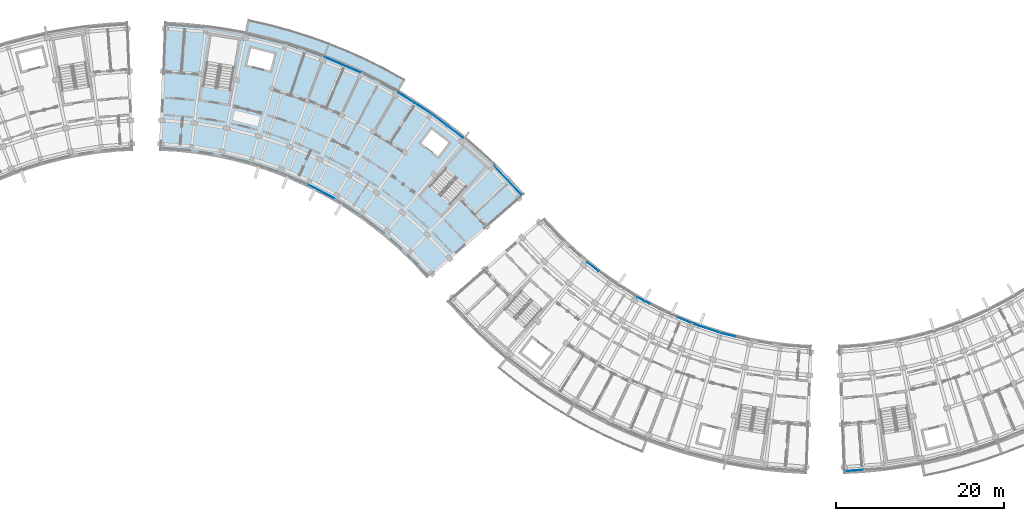
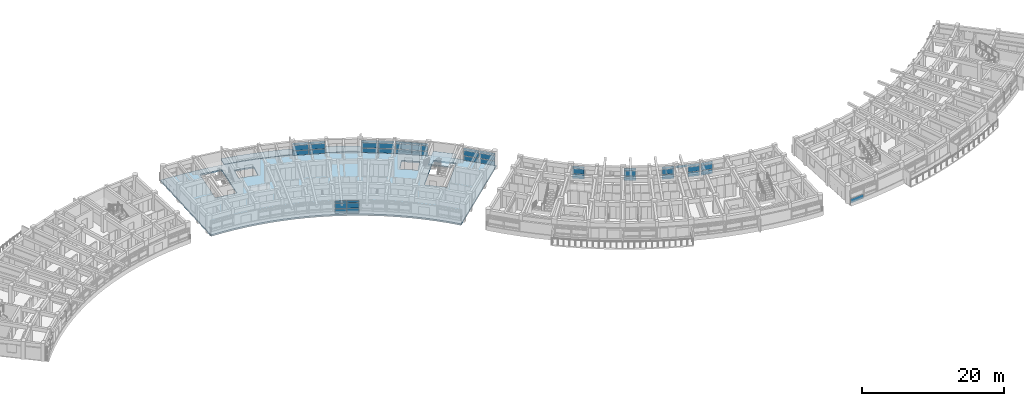
# One storey, part 25 of 55: 47 plates, 3 slabs, 12 elements without a shape of their own.
"""IFC4 building model written with IfcOpenShell, lengths in metres."""

from ifc_helpers import new_model, si_unit, direction, frame, origin, origin_2d, place, context, subcontext, project, spatial, polyline, rectangle, outline, extrude, material, layer, layer_set, type_object, element, aggregate, save


model = new_model("IFC4")

# Units and contexts
model_context = context("Model", 3, precision=1e-05, world=origin(), true_north=direction((0.0, 1.0)))
body_context = subcontext(model_context, "Body", "Model", "MODEL_VIEW")
ifc_project = project(units=[si_unit("LENGTHUNIT", "METRE"), si_unit("AREAUNIT", "SQUARE_METRE"), si_unit("VOLUMEUNIT", "CUBIC_METRE"), si_unit("PLANEANGLEUNIT", "RADIAN"), si_unit("MASSUNIT", "GRAM", prefix="KILO")], contexts=[model_context])

# Site, building, storey
site_placement = place(None, origin())
site = spatial("IfcSite", under=ifc_project, at=site_placement, CompositionType="ELEMENT")
building_placement = place(site_placement, origin())
building = spatial("IfcBuilding", under=site, at=building_placement, Name="Zimvara Arc Housing Community", CompositionType="ELEMENT")
storey_placement = place(building_placement, frame((0.0, 0.0, 14.300048828125)))
storey = spatial("IfcBuildingStorey", under=building, at=storey_placement, Name="L04", CompositionType="ELEMENT", Elevation=14.300048828125)

# Curtain wall, plates
ifc_material_1 = material(Name="Anodised Aluminium AW-6063", Category="aluminium")
curtain_wall_type_1 = type_object("IfcCurtainWallType", Name="CW-SYS-04", PredefinedType="USERDEFINED", material=ifc_material_1)
curtain_wall_1_placement = place(storey_placement, origin())
curtain_wall_1 = element("IfcCurtainWall", 1, at=curtain_wall_1_placement, inside=storey, type_object=curtain_wall_type_1, Name="cw:blkB:L04:in:b5", ObjectType="CURTAIN WALL", PredefinedType="USERDEFINED")
ifc_material_2 = material(Name="Pale-Gold Anodised Aluminium Spandrel Panel", Category="aluminium")
ifc_layer_1 = layer(ifc_material_2, 0.035888671875)
ifc_layer_set_1 = layer_set([ifc_layer_1], Name="Pale-Gold Anodised Aluminium Spandrel Panel")
plate_type_1 = type_object("IfcPlateType", Name="CWP-GLD-36", PredefinedType="CURTAIN_PANEL", material=ifc_layer_set_1)
plate_1_placement = place(storey_placement, frame((65.125244140625, 84.291259765625, 0.06494140625), z_axis=(0.0, 0.0, 1.0), x_axis=(0.88343981815, -0.468544648573, 0.0)))
plate_1 = element("IfcPlate", 2, at=plate_1_placement, type_object=plate_type_1, Name="CW04 panel 1.1", PredefinedType="CURTAIN_PANEL", context=body_context, shape_type="SweptSolid", body=[
    extrude(rectangle(XDim=1.664306640625, YDim=0.035888671875, at=origin_2d()), origin(), (0.0, 0.0, 1.0), 0.75244140625),
])
plate_2_placement = place(storey_placement, frame((65.125244140625, 84.291259765625, 0.88232421875), z_axis=(0.0, 0.0, 1.0), x_axis=(0.88343981815, -0.468544648573, 0.0)))
plate_2 = element("IfcPlate", 3, at=plate_2_placement, type_object=plate_type_1, Name="CW04 panel 1.2", PredefinedType="CURTAIN_PANEL", context=body_context, shape_type="SweptSolid", body=[
    extrude(rectangle(XDim=1.664306640625, YDim=0.035888671875, at=origin_2d()), origin(), (0.0, 0.0, 1.0), 0.885009765625),
])
plate_3_placement = place(storey_placement, frame((65.125244140625, 84.291259765625, 1.83251953125), z_axis=(0.0, 0.0, 1.0), x_axis=(0.88343981815, -0.468544648573, 0.0)))
plate_3 = element("IfcPlate", 4, at=plate_3_placement, type_object=plate_type_1, Name="CW04 panel 1.3", PredefinedType="CURTAIN_PANEL", context=body_context, shape_type="SweptSolid", body=[
    extrude(rectangle(XDim=1.664306640625, YDim=0.035888671875, at=origin_2d()), origin(), (0.0, 0.0, 1.0), 0.3525390625),
])
plate_4_placement = place(storey_placement, frame((66.653076171875, 83.48095703125, 0.06494140625), z_axis=(0.0, 0.0, 1.0), x_axis=(0.88343981815, -0.468544648573, 0.0)))
plate_4 = element("IfcPlate", 5, at=plate_4_placement, type_object=plate_type_1, Name="CW04 panel 2.1", PredefinedType="CURTAIN_PANEL", context=body_context, shape_type="SweptSolid", body=[
    extrude(rectangle(XDim=1.664306640625, YDim=0.035888671875, at=origin_2d()), origin(), (0.0, 0.0, 1.0), 0.75244140625),
])
plate_5_placement = place(storey_placement, frame((66.653076171875, 83.48095703125, 0.88232421875), z_axis=(0.0, 0.0, 1.0), x_axis=(0.88343981815, -0.468544648573, 0.0)))
plate_5 = element("IfcPlate", 6, at=plate_5_placement, type_object=plate_type_1, Name="CW04 panel 2.2", PredefinedType="CURTAIN_PANEL", context=body_context, shape_type="SweptSolid", body=[
    extrude(rectangle(XDim=1.664306640625, YDim=0.035888671875, at=origin_2d()), origin(), (0.0, 0.0, 1.0), 0.885009765625),
])
plate_6_placement = place(storey_placement, frame((66.653076171875, 83.48095703125, 1.83251953125), z_axis=(0.0, 0.0, 1.0), x_axis=(0.88343981815, -0.468544648573, 0.0)))
plate_6 = element("IfcPlate", 7, at=plate_6_placement, type_object=plate_type_1, Name="CW04 panel 2.3", PredefinedType="CURTAIN_PANEL", context=body_context, shape_type="SweptSolid", body=[
    extrude(rectangle(XDim=1.664306640625, YDim=0.035888671875, at=origin_2d()), origin(), (0.0, 0.0, 1.0), 0.3525390625),
])
aggregate(curtain_wall_1, [plate_1, plate_2, plate_3, plate_4, plate_5, plate_6])

curtain_wall_2_placement = place(storey_placement, origin())
curtain_wall_2 = element("IfcCurtainWall", 8, at=curtain_wall_2_placement, inside=storey, type_object=curtain_wall_type_1, Name="cw:blkC:L04:in:b2", ObjectType="CURTAIN WALL", PredefinedType="USERDEFINED")
plate_7_placement = place(storey_placement, frame((98.275634765625, 74.91943359375, 0.06494140625), z_axis=(0.0, 0.0, 1.0), x_axis=(0.795473543119, -0.605988318533, 0.0)))
plate_7 = element("IfcPlate", 9, at=plate_7_placement, type_object=plate_type_1, Name="CW04 panel 1.1", PredefinedType="CURTAIN_PANEL", context=body_context, shape_type="SweptSolid", body=[
    extrude(rectangle(XDim=1.664306640625, YDim=0.035888671875, at=origin_2d()), origin(), (0.0, 0.0, 1.0), 0.75244140625),
])
plate_8_placement = place(storey_placement, frame((98.275634765625, 74.91943359375, 0.88232421875), z_axis=(0.0, 0.0, 1.0), x_axis=(0.795473543119, -0.605988318533, 0.0)))
plate_8 = element("IfcPlate", 10, at=plate_8_placement, type_object=plate_type_1, Name="CW04 panel 1.2", PredefinedType="CURTAIN_PANEL", context=body_context, shape_type="SweptSolid", body=[
    extrude(rectangle(XDim=1.664306640625, YDim=0.035888671875, at=origin_2d()), origin(), (0.0, 0.0, 1.0), 0.885009765625),
])
plate_9_placement = place(storey_placement, frame((98.275634765625, 74.91943359375, 1.83251953125), z_axis=(0.0, 0.0, 1.0), x_axis=(0.795473543119, -0.605988318533, 0.0)))
plate_9 = element("IfcPlate", 11, at=plate_9_placement, type_object=plate_type_1, Name="CW04 panel 1.3", PredefinedType="CURTAIN_PANEL", context=body_context, shape_type="SweptSolid", body=[
    extrude(rectangle(XDim=1.664306640625, YDim=0.035888671875, at=origin_2d()), origin(), (0.0, 0.0, 1.0), 0.3525390625),
])
aggregate(curtain_wall_2, [plate_7, plate_8, plate_9])

ifc_material_3 = material(Name="Anodised Aluminium AW-6063", Category="aluminium")
curtain_wall_type_2 = type_object("IfcCurtainWallType", Name="CW-SYS-08", PredefinedType="USERDEFINED", material=ifc_material_3)
curtain_wall_3_placement = place(storey_placement, origin())
curtain_wall_3 = element("IfcCurtainWall", 12, at=curtain_wall_3_placement, inside=storey, type_object=curtain_wall_type_2, Name="cw:blkC:L04:in:b5", ObjectType="CURTAIN WALL", PredefinedType="USERDEFINED")
plate_10_placement = place(storey_placement, frame((109.16845703125, 68.559326171875, 0.06494140625), z_axis=(0.0, 0.0, 1.0), x_axis=(0.918722178415, -0.394904493375, 0.0)))
plate_10 = element("IfcPlate", 13, at=plate_10_placement, type_object=plate_type_1, Name="CW08 panel 2.1", PredefinedType="CURTAIN_PANEL", context=body_context, shape_type="SweptSolid", body=[
    extrude(rectangle(XDim=1.664306640625, YDim=0.035888671875, at=origin_2d()), origin(), (0.0, 0.0, 1.0), 0.75244140625),
])
plate_11_placement = place(storey_placement, frame((109.16845703125, 68.559326171875, 0.88232421875), z_axis=(0.0, 0.0, 1.0), x_axis=(0.918722178415, -0.394904493375, 0.0)))
plate_11 = element("IfcPlate", 14, at=plate_11_placement, type_object=plate_type_1, Name="CW08 panel 2.2", PredefinedType="CURTAIN_PANEL", context=body_context, shape_type="SweptSolid", body=[
    extrude(rectangle(XDim=1.664306640625, YDim=0.035888671875, at=origin_2d()), origin(), (0.0, 0.0, 1.0), 0.885009765625),
])
plate_12_placement = place(storey_placement, frame((109.16845703125, 68.559326171875, 1.83251953125), z_axis=(0.0, 0.0, 1.0), x_axis=(0.918722178415, -0.394904493375, 0.0)))
plate_12 = element("IfcPlate", 15, at=plate_12_placement, type_object=plate_type_1, Name="CW08 panel 2.3", PredefinedType="CURTAIN_PANEL", context=body_context, shape_type="SweptSolid", body=[
    extrude(rectangle(XDim=1.664306640625, YDim=0.035888671875, at=origin_2d()), origin(), (0.0, 0.0, 1.0), 0.3525390625),
])
aggregate(curtain_wall_3, [plate_10, plate_11, plate_12])

curtain_wall_4_placement = place(storey_placement, origin())
curtain_wall_4 = element("IfcCurtainWall", 16, at=curtain_wall_4_placement, inside=storey, type_object=curtain_wall_type_1, Name="cw:blkC:L04:in:b7", ObjectType="CURTAIN WALL", PredefinedType="USERDEFINED")
plate_13_placement = place(storey_placement, frame((114.4306640625, 66.79052734375, 0.06494140625), z_axis=(0.0, 0.0, 1.0), x_axis=(0.970716537698, -0.240227815706, 0.0)))
plate_13 = element("IfcPlate", 17, at=plate_13_placement, type_object=plate_type_1, Name="CW04 panel 1.1", PredefinedType="CURTAIN_PANEL", context=body_context, shape_type="SweptSolid", body=[
    extrude(rectangle(XDim=1.664306640625, YDim=0.035888671875, at=origin_2d()), origin(), (0.0, 0.0, 1.0), 0.75244140625),
])
plate_14_placement = place(storey_placement, frame((114.4306640625, 66.79052734375, 0.88232421875), z_axis=(0.0, 0.0, 1.0), x_axis=(0.970716537698, -0.240227815706, 0.0)))
plate_14 = element("IfcPlate", 18, at=plate_14_placement, type_object=plate_type_1, Name="CW04 panel 1.2", PredefinedType="CURTAIN_PANEL", context=body_context, shape_type="SweptSolid", body=[
    extrude(rectangle(XDim=1.664306640625, YDim=0.035888671875, at=origin_2d()), origin(), (0.0, 0.0, 1.0), 0.885009765625),
])
plate_15_placement = place(storey_placement, frame((114.4306640625, 66.79052734375, 1.83251953125), z_axis=(0.0, 0.0, 1.0), x_axis=(0.970716537698, -0.240227815706, 0.0)))
plate_15 = element("IfcPlate", 19, at=plate_15_placement, type_object=plate_type_1, Name="CW04 panel 1.3", PredefinedType="CURTAIN_PANEL", context=body_context, shape_type="SweptSolid", body=[
    extrude(rectangle(XDim=1.664306640625, YDim=0.035888671875, at=origin_2d()), origin(), (0.0, 0.0, 1.0), 0.3525390625),
])
aggregate(curtain_wall_4, [plate_13, plate_14, plate_15])

ifc_material_4 = material(Name="Anodised Aluminium AW-6063", Category="aluminium")
curtain_wall_type_3 = type_object("IfcCurtainWallType", Name="CW-SYS-05", PredefinedType="USERDEFINED", material=ifc_material_4)
curtain_wall_5_placement = place(storey_placement, origin())
curtain_wall_5 = element("IfcCurtainWall", 20, at=curtain_wall_5_placement, inside=storey, type_object=curtain_wall_type_3, Name="cw:blkB:L04:out:b6", ObjectType="CURTAIN WALL", PredefinedType="USERDEFINED")
ifc_material_5 = material(Name="Solar Control Low-E Double Glazing", Category="glass")
ifc_layer_2 = layer(ifc_material_5, 0.02392578125)
ifc_layer_set_2 = layer_set([ifc_layer_2], Name="Solar Control Low-E Double Glazing")
plate_type_2 = type_object("IfcPlateType", Name="CWP-GLZ-24", PredefinedType="CURTAIN_PANEL", material=ifc_layer_set_2)
plate_16_placement = place(storey_placement, frame((76.0009765625, 95.1005859375, 0.06494140625), z_axis=(0.0, 0.0, 1.0), x_axis=(0.842264410931, -0.539064617721, 0.0)))
plate_16 = element("IfcPlate", 21, at=plate_16_placement, type_object=plate_type_2, Name="CW05 panel 1.1", PredefinedType="CURTAIN_PANEL", context=body_context, shape_type="SweptSolid", body=[
    extrude(rectangle(XDim=2.266845703125, YDim=0.02392578125, at=origin_2d()), origin(), (0.0, 0.0, 1.0), 0.75244140625),
])
plate_17_placement = place(storey_placement, frame((76.0009765625, 95.1005859375, 0.88232421875), z_axis=(0.0, 0.0, 1.0), x_axis=(0.842264410931, -0.539064617721, 0.0)))
plate_17 = element("IfcPlate", 22, at=plate_17_placement, type_object=plate_type_2, Name="CW05 panel 1.2", PredefinedType="CURTAIN_PANEL", context=body_context, shape_type="SweptSolid", body=[
    extrude(rectangle(XDim=2.266845703125, YDim=0.02392578125, at=origin_2d()), origin(), (0.0, 0.0, 1.0), 0.885009765625),
])
plate_18_placement = place(storey_placement, frame((76.0009765625, 95.1005859375, 1.83251953125), z_axis=(0.0, 0.0, 1.0), x_axis=(0.842264410931, -0.539064617721, 0.0)))
plate_18 = element("IfcPlate", 23, at=plate_18_placement, type_object=plate_type_2, Name="CW05 panel 1.3", PredefinedType="CURTAIN_PANEL", context=body_context, shape_type="SweptSolid", body=[
    extrude(rectangle(XDim=2.266845703125, YDim=0.02392578125, at=origin_2d()), origin(), (0.0, 0.0, 1.0), 0.3525390625),
])
plate_19_placement = place(storey_placement, frame((77.965087890625, 93.843505859375, 0.06494140625), z_axis=(0.0, 0.0, 1.0), x_axis=(0.842264410931, -0.539064617721, 0.0)))
plate_19 = element("IfcPlate", 24, at=plate_19_placement, type_object=plate_type_2, Name="CW05 panel 2.1", PredefinedType="CURTAIN_PANEL", context=body_context, shape_type="SweptSolid", body=[
    extrude(rectangle(XDim=2.266845703125, YDim=0.02392578125, at=origin_2d()), origin(), (0.0, 0.0, 1.0), 0.75244140625),
])
plate_20_placement = place(storey_placement, frame((77.965087890625, 93.843505859375, 0.88232421875), z_axis=(0.0, 0.0, 1.0), x_axis=(0.842264410931, -0.539064617721, 0.0)))
plate_20 = element("IfcPlate", 25, at=plate_20_placement, type_object=plate_type_2, Name="CW05 panel 2.2", PredefinedType="CURTAIN_PANEL", context=body_context, shape_type="SweptSolid", body=[
    extrude(rectangle(XDim=2.266845703125, YDim=0.02392578125, at=origin_2d()), origin(), (0.0, 0.0, 1.0), 0.885009765625),
])
plate_21_placement = place(storey_placement, frame((77.965087890625, 93.843505859375, 1.83251953125), z_axis=(0.0, 0.0, 1.0), x_axis=(0.842264410931, -0.539064617721, 0.0)))
plate_21 = element("IfcPlate", 26, at=plate_21_placement, type_object=plate_type_2, Name="CW05 panel 2.3", PredefinedType="CURTAIN_PANEL", context=body_context, shape_type="SweptSolid", body=[
    extrude(rectangle(XDim=2.266845703125, YDim=0.02392578125, at=origin_2d()), origin(), (0.0, 0.0, 1.0), 0.3525390625),
])
aggregate(curtain_wall_5, [plate_16, plate_17, plate_18, plate_19, plate_20, plate_21])

ifc_material_6 = material(Name="Anodised Aluminium AW-6063", Category="aluminium")
curtain_wall_type_4 = type_object("IfcCurtainWallType", Name="CW-SYS-01", PredefinedType="USERDEFINED", material=ifc_material_6)
curtain_wall_6_placement = place(storey_placement, origin())
curtain_wall_6 = element("IfcCurtainWall", 27, at=curtain_wall_6_placement, inside=storey, type_object=curtain_wall_type_4, Name="cw:blkB:L04:out:b9", ObjectType="CURTAIN WALL", PredefinedType="USERDEFINED")
plate_22_placement = place(storey_placement, frame((87.350341796875, 86.068115234375, 0.06494140625), z_axis=(0.0, 0.0, 1.0), x_axis=(0.686326416495, -0.727293647725, 0.0)))
plate_22 = element("IfcPlate", 28, at=plate_22_placement, type_object=plate_type_2, Name="CW01 panel 1.1", PredefinedType="CURTAIN_PANEL", context=body_context, shape_type="SweptSolid", body=[
    extrude(rectangle(XDim=2.266845703125, YDim=0.02392578125, at=origin_2d()), origin(), (0.0, 0.0, 1.0), 0.75244140625),
])
plate_23_placement = place(storey_placement, frame((87.350341796875, 86.068115234375, 0.88232421875), z_axis=(0.0, 0.0, 1.0), x_axis=(0.686326416495, -0.727293647725, 0.0)))
plate_23 = element("IfcPlate", 29, at=plate_23_placement, type_object=plate_type_2, Name="CW01 panel 1.2", PredefinedType="CURTAIN_PANEL", context=body_context, shape_type="SweptSolid", body=[
    extrude(rectangle(XDim=2.266845703125, YDim=0.02392578125, at=origin_2d()), origin(), (0.0, 0.0, 1.0), 0.885009765625),
])
plate_24_placement = place(storey_placement, frame((87.350341796875, 86.068115234375, 1.83251953125), z_axis=(0.0, 0.0, 1.0), x_axis=(0.686326416495, -0.727293647725, 0.0)))
plate_24 = element("IfcPlate", 30, at=plate_24_placement, type_object=plate_type_2, Name="CW01 panel 1.3", PredefinedType="CURTAIN_PANEL", context=body_context, shape_type="SweptSolid", body=[
    extrude(rectangle(XDim=2.266845703125, YDim=0.02392578125, at=origin_2d()), origin(), (0.0, 0.0, 1.0), 0.3525390625),
])
plate_25_placement = place(storey_placement, frame((88.950927734375, 84.3720703125, 0.06494140625), z_axis=(0.0, 0.0, 1.0), x_axis=(0.686326416495, -0.727293647725, 0.0)))
plate_25 = element("IfcPlate", 31, at=plate_25_placement, type_object=plate_type_2, Name="CW01 panel 2.1", PredefinedType="CURTAIN_PANEL", context=body_context, shape_type="SweptSolid", body=[
    extrude(rectangle(XDim=2.266845703125, YDim=0.02392578125, at=origin_2d()), origin(), (0.0, 0.0, 1.0), 0.75244140625),
])
plate_26_placement = place(storey_placement, frame((88.950927734375, 84.3720703125, 0.88232421875), z_axis=(0.0, 0.0, 1.0), x_axis=(0.686326416495, -0.727293647725, 0.0)))
plate_26 = element("IfcPlate", 32, at=plate_26_placement, type_object=plate_type_2, Name="CW01 panel 2.2", PredefinedType="CURTAIN_PANEL", context=body_context, shape_type="SweptSolid", body=[
    extrude(rectangle(XDim=2.266845703125, YDim=0.02392578125, at=origin_2d()), origin(), (0.0, 0.0, 1.0), 0.885009765625),
])
plate_27_placement = place(storey_placement, frame((88.950927734375, 84.3720703125, 1.83251953125), z_axis=(0.0, 0.0, 1.0), x_axis=(0.686326416495, -0.727293647725, 0.0)))
plate_27 = element("IfcPlate", 33, at=plate_27_placement, type_object=plate_type_2, Name="CW01 panel 2.3", PredefinedType="CURTAIN_PANEL", context=body_context, shape_type="SweptSolid", body=[
    extrude(rectangle(XDim=2.266845703125, YDim=0.02392578125, at=origin_2d()), origin(), (0.0, 0.0, 1.0), 0.3525390625),
])
aggregate(curtain_wall_6, [plate_22, plate_23, plate_24, plate_25, plate_26, plate_27])

# Curtain wall, plate
curtain_wall_7_placement = place(storey_placement, origin())
curtain_wall_7 = element("IfcCurtainWall", 34, at=curtain_wall_7_placement, inside=storey, type_object=curtain_wall_type_4, Name="cw:blkD:L04:out:b0", ObjectType="CURTAIN WALL", PredefinedType="USERDEFINED")
plate_28_placement = place(storey_placement, frame((129.4677734375, 50.61767578125, 0.06494140625), z_axis=(0.0, 0.0, 1.0), x_axis=(0.996985387849, 0.077589538059, 0.0)))
plate_28 = element("IfcPlate", 35, at=plate_28_placement, type_object=plate_type_2, Name="CW01 panel 1.1", PredefinedType="CURTAIN_PANEL", context=body_context, shape_type="SweptSolid", body=[
    extrude(rectangle(XDim=2.173828125, YDim=0.02392578125, at=origin_2d()), origin(), (0.0, 0.0, 1.0), 0.75244140625),
])
aggregate(curtain_wall_7, [plate_28])

# Curtain wall, plates
ifc_material_7 = material(Name="Anodised Aluminium AW-6063", Category="aluminium")
curtain_wall_type_5 = type_object("IfcCurtainWallType", Name="CW-SYS-02", PredefinedType="USERDEFINED", material=ifc_material_7)
curtain_wall_8_placement = place(storey_placement, origin())
curtain_wall_8 = element("IfcCurtainWall", 36, at=curtain_wall_8_placement, inside=storey, type_object=curtain_wall_type_5, Name="cw:blkB:L04:out:b4", ObjectType="CURTAIN WALL", PredefinedType="USERDEFINED")
ifc_material_8 = material(Name="Solar Control Low-E Double Glazing", Category="glass")
ifc_layer_3 = layer(ifc_material_8, 0.028076171875)
ifc_layer_set_3 = layer_set([ifc_layer_3], Name="Solar Control Low-E Double Glazing")
plate_type_3 = type_object("IfcPlateType", Name="CWP-GLZ-28", PredefinedType="CURTAIN_PANEL", material=ifc_layer_set_3)
plate_29_placement = place(storey_placement, frame((67.358642578125, 99.46875, 0.06494140625), z_axis=(0.0, 0.0, 1.0), x_axis=(0.918722299363, -0.394904211998, 0.0)))
plate_29 = element("IfcPlate", 37, at=plate_29_placement, type_object=plate_type_3, Name="CW02 panel 1.1", PredefinedType="CURTAIN_PANEL", context=body_context, shape_type="SweptSolid", body=[
    extrude(rectangle(XDim=2.266845703125, YDim=0.028076171875, at=origin_2d()), origin(), (0.0, 0.0, 1.0), 0.75244140625),
])
plate_30_placement = place(storey_placement, frame((67.358642578125, 99.46875, 0.88232421875), z_axis=(0.0, 0.0, 1.0), x_axis=(0.918722299363, -0.394904211998, 0.0)))
plate_30 = element("IfcPlate", 38, at=plate_30_placement, type_object=plate_type_3, Name="CW02 panel 1.2", PredefinedType="CURTAIN_PANEL", context=body_context, shape_type="SweptSolid", body=[
    extrude(rectangle(XDim=2.266845703125, YDim=0.028076171875, at=origin_2d()), origin(), (0.0, 0.0, 1.0), 0.885009765625),
])
plate_31_placement = place(storey_placement, frame((67.358642578125, 99.46875, 1.83251953125), z_axis=(0.0, 0.0, 1.0), x_axis=(0.918722299363, -0.394904211998, 0.0)))
plate_31 = element("IfcPlate", 39, at=plate_31_placement, type_object=plate_type_3, Name="CW02 panel 1.3", PredefinedType="CURTAIN_PANEL", context=body_context, shape_type="SweptSolid", body=[
    extrude(rectangle(XDim=2.266845703125, YDim=0.028076171875, at=origin_2d()), origin(), (0.0, 0.0, 1.0), 0.3525390625),
])
plate_32_placement = place(storey_placement, frame((69.5009765625, 98.5478515625, 0.06494140625), z_axis=(0.0, 0.0, 1.0), x_axis=(0.918722299363, -0.394904211998, 0.0)))
plate_32 = element("IfcPlate", 40, at=plate_32_placement, type_object=plate_type_3, Name="CW02 panel 2.1", PredefinedType="CURTAIN_PANEL", context=body_context, shape_type="SweptSolid", body=[
    extrude(rectangle(XDim=2.266845703125, YDim=0.028076171875, at=origin_2d()), origin(), (0.0, 0.0, 1.0), 0.75244140625),
])
plate_33_placement = place(storey_placement, frame((69.5009765625, 98.5478515625, 0.88232421875), z_axis=(0.0, 0.0, 1.0), x_axis=(0.918722299363, -0.394904211998, 0.0)))
plate_33 = element("IfcPlate", 41, at=plate_33_placement, type_object=plate_type_3, Name="CW02 panel 2.2", PredefinedType="CURTAIN_PANEL", context=body_context, shape_type="SweptSolid", body=[
    extrude(rectangle(XDim=2.266845703125, YDim=0.028076171875, at=origin_2d()), origin(), (0.0, 0.0, 1.0), 0.885009765625),
])
plate_34_placement = place(storey_placement, frame((69.5009765625, 98.5478515625, 1.83251953125), z_axis=(0.0, 0.0, 1.0), x_axis=(0.918722299363, -0.394904211998, 0.0)))
plate_34 = element("IfcPlate", 42, at=plate_34_placement, type_object=plate_type_3, Name="CW02 panel 2.3", PredefinedType="CURTAIN_PANEL", context=body_context, shape_type="SweptSolid", body=[
    extrude(rectangle(XDim=2.266845703125, YDim=0.028076171875, at=origin_2d()), origin(), (0.0, 0.0, 1.0), 0.3525390625),
])
aggregate(curtain_wall_8, [plate_29, plate_30, plate_31, plate_32, plate_33, plate_34])

curtain_wall_9_placement = place(storey_placement, origin())
curtain_wall_9 = element("IfcCurtainWall", 43, at=curtain_wall_9_placement, inside=storey, type_object=curtain_wall_type_5, Name="cw:blkC:L04:in:b6", ObjectType="CURTAIN WALL", PredefinedType="USERDEFINED")
plate_35_placement = place(storey_placement, frame((110.955078125, 67.87646484375, 1.83251953125), z_axis=(0.0, 0.0, 1.0), x_axis=(0.94787908732, -0.318630249383, 0.0)))
plate_35 = element("IfcPlate", 44, at=plate_35_placement, type_object=plate_type_3, Name="CW02 panel 1.3", PredefinedType="CURTAIN_PANEL", context=body_context, shape_type="SweptSolid", body=[
    extrude(rectangle(XDim=1.664306640625, YDim=0.028076171875, at=origin_2d()), origin(), (0.0, 0.0, 1.0), 0.3525390625),
])
plate_36_placement = place(storey_placement, frame((112.59423828125, 67.325439453125, 0.06494140625), z_axis=(0.0, 0.0, 1.0), x_axis=(0.94787908732, -0.318630249383, 0.0)))
plate_36 = element("IfcPlate", 45, at=plate_36_placement, type_object=plate_type_3, Name="CW02 panel 2.1", PredefinedType="CURTAIN_PANEL", context=body_context, shape_type="SweptSolid", body=[
    extrude(rectangle(XDim=1.664306640625, YDim=0.028076171875, at=origin_2d()), origin(), (0.0, 0.0, 1.0), 0.75244140625),
])
plate_37_placement = place(storey_placement, frame((112.59423828125, 67.325439453125, 0.88232421875), z_axis=(0.0, 0.0, 1.0), x_axis=(0.94787908732, -0.318630249383, 0.0)))
plate_37 = element("IfcPlate", 46, at=plate_37_placement, type_object=plate_type_3, Name="CW02 panel 2.2", PredefinedType="CURTAIN_PANEL", context=body_context, shape_type="SweptSolid", body=[
    extrude(rectangle(XDim=1.664306640625, YDim=0.028076171875, at=origin_2d()), origin(), (0.0, 0.0, 1.0), 0.885009765625),
])
plate_38_placement = place(storey_placement, frame((112.59423828125, 67.325439453125, 1.83251953125), z_axis=(0.0, 0.0, 1.0), x_axis=(0.94787908732, -0.318630249383, 0.0)))
plate_38 = element("IfcPlate", 47, at=plate_38_placement, type_object=plate_type_3, Name="CW02 panel 2.3", PredefinedType="CURTAIN_PANEL", context=body_context, shape_type="SweptSolid", body=[
    extrude(rectangle(XDim=1.664306640625, YDim=0.028076171875, at=origin_2d()), origin(), (0.0, 0.0, 1.0), 0.3525390625),
])
aggregate(curtain_wall_9, [plate_35, plate_36, plate_37, plate_38])

ifc_material_9 = material(Name="Anodised Aluminium AW-6063", Category="aluminium")
curtain_wall_type_6 = type_object("IfcCurtainWallType", Name="CW-SYS-07", PredefinedType="USERDEFINED", material=ifc_material_9)
curtain_wall_10_placement = place(storey_placement, origin())
curtain_wall_10 = element("IfcCurtainWall", 48, at=curtain_wall_10_placement, inside=storey, type_object=curtain_wall_type_6, Name="cw:blkB:L04:out:b7", ObjectType="CURTAIN WALL", PredefinedType="USERDEFINED")
ifc_material_10 = material(Name="Acoustic Laminated Solar Glazing", Category="glass")
ifc_layer_4 = layer(ifc_material_10, 0.031982421875)
ifc_layer_set_4 = layer_set([ifc_layer_4], Name="Acoustic Laminated Solar Glazing")
plate_type_4 = type_object("IfcPlateType", Name="CWP-GLZ-32", PredefinedType="CURTAIN_PANEL", material=ifc_layer_set_4)
plate_39_placement = place(storey_placement, frame((80.026123046875, 92.40234375, 0.06494140625), z_axis=(0.0, 0.0, 1.0), x_axis=(0.795473999177, -0.60598771987, 0.0)))
plate_39 = element("IfcPlate", 49, at=plate_39_placement, type_object=plate_type_4, Name="CW07 panel 1.1", PredefinedType="CURTAIN_PANEL", context=body_context, shape_type="SweptSolid", body=[
    extrude(rectangle(XDim=2.266845703125, YDim=0.031982421875, at=origin_2d()), origin(), (0.0, 0.0, 1.0), 0.75244140625),
])
plate_40_placement = place(storey_placement, frame((80.026123046875, 92.40234375, 0.88232421875), z_axis=(0.0, 0.0, 1.0), x_axis=(0.795473999177, -0.60598771987, 0.0)))
plate_40 = element("IfcPlate", 50, at=plate_40_placement, type_object=plate_type_4, Name="CW07 panel 1.2", PredefinedType="CURTAIN_PANEL", context=body_context, shape_type="SweptSolid", body=[
    extrude(rectangle(XDim=2.266845703125, YDim=0.031982421875, at=origin_2d()), origin(), (0.0, 0.0, 1.0), 0.885009765625),
])
plate_41_placement = place(storey_placement, frame((80.026123046875, 92.40234375, 1.83251953125), z_axis=(0.0, 0.0, 1.0), x_axis=(0.795473999177, -0.60598771987, 0.0)))
plate_41 = element("IfcPlate", 51, at=plate_41_placement, type_object=plate_type_4, Name="CW07 panel 1.3", PredefinedType="CURTAIN_PANEL", context=body_context, shape_type="SweptSolid", body=[
    extrude(rectangle(XDim=2.266845703125, YDim=0.031982421875, at=origin_2d()), origin(), (0.0, 0.0, 1.0), 0.3525390625),
])
plate_42_placement = place(storey_placement, frame((81.881103515625, 90.9892578125, 0.06494140625), z_axis=(0.0, 0.0, 1.0), x_axis=(0.795473999177, -0.60598771987, 0.0)))
plate_42 = element("IfcPlate", 52, at=plate_42_placement, type_object=plate_type_4, Name="CW07 panel 2.1", PredefinedType="CURTAIN_PANEL", context=body_context, shape_type="SweptSolid", body=[
    extrude(rectangle(XDim=2.266845703125, YDim=0.031982421875, at=origin_2d()), origin(), (0.0, 0.0, 1.0), 0.75244140625),
])
plate_43_placement = place(storey_placement, frame((81.881103515625, 90.9892578125, 0.88232421875), z_axis=(0.0, 0.0, 1.0), x_axis=(0.795473999177, -0.60598771987, 0.0)))
plate_43 = element("IfcPlate", 53, at=plate_43_placement, type_object=plate_type_4, Name="CW07 panel 2.2", PredefinedType="CURTAIN_PANEL", context=body_context, shape_type="SweptSolid", body=[
    extrude(rectangle(XDim=2.266845703125, YDim=0.031982421875, at=origin_2d()), origin(), (0.0, 0.0, 1.0), 0.885009765625),
])
plate_44_placement = place(storey_placement, frame((81.881103515625, 90.9892578125, 1.83251953125), z_axis=(0.0, 0.0, 1.0), x_axis=(0.795473999177, -0.60598771987, 0.0)))
plate_44 = element("IfcPlate", 54, at=plate_44_placement, type_object=plate_type_4, Name="CW07 panel 2.3", PredefinedType="CURTAIN_PANEL", context=body_context, shape_type="SweptSolid", body=[
    extrude(rectangle(XDim=2.266845703125, YDim=0.031982421875, at=origin_2d()), origin(), (0.0, 0.0, 1.0), 0.3525390625),
])
aggregate(curtain_wall_10, [plate_39, plate_40, plate_41, plate_42, plate_43, plate_44])

curtain_wall_11_placement = place(storey_placement, origin())
curtain_wall_11 = element("IfcCurtainWall", 55, at=curtain_wall_11_placement, inside=storey, type_object=curtain_wall_type_6, Name="cw:blkC:L04:in:b4", ObjectType="CURTAIN WALL", PredefinedType="USERDEFINED")
plate_45_placement = place(storey_placement, frame((104.326904296875, 70.87890625, 0.06494140625), z_axis=(0.0, 0.0, 1.0), x_axis=(0.88343981815, -0.468544648573, 0.0)))
plate_45 = element("IfcPlate", 56, at=plate_45_placement, type_object=plate_type_4, Name="CW07 panel 1.1", PredefinedType="CURTAIN_PANEL", context=body_context, shape_type="SweptSolid", body=[
    extrude(rectangle(XDim=1.664306640625, YDim=0.031982421875, at=origin_2d()), origin(), (0.0, 0.0, 1.0), 0.75244140625),
])
plate_46_placement = place(storey_placement, frame((104.326904296875, 70.87890625, 0.88232421875), z_axis=(0.0, 0.0, 1.0), x_axis=(0.88343981815, -0.468544648573, 0.0)))
plate_46 = element("IfcPlate", 57, at=plate_46_placement, type_object=plate_type_4, Name="CW07 panel 1.2", PredefinedType="CURTAIN_PANEL", context=body_context, shape_type="SweptSolid", body=[
    extrude(rectangle(XDim=1.664306640625, YDim=0.031982421875, at=origin_2d()), origin(), (0.0, 0.0, 1.0), 0.885009765625),
])
plate_47_placement = place(storey_placement, frame((104.326904296875, 70.87890625, 1.83251953125), z_axis=(0.0, 0.0, 1.0), x_axis=(0.88343981815, -0.468544648573, 0.0)))
plate_47 = element("IfcPlate", 58, at=plate_47_placement, type_object=plate_type_4, Name="CW07 panel 1.3", PredefinedType="CURTAIN_PANEL", context=body_context, shape_type="SweptSolid", body=[
    extrude(rectangle(XDim=1.664306640625, YDim=0.031982421875, at=origin_2d()), origin(), (0.0, 0.0, 1.0), 0.3525390625),
])
aggregate(curtain_wall_11, [plate_45, plate_46, plate_47])

# Stair, slab
ifc_material_11 = material(Name="Concrete C35/45", Category="concrete")
stair_type = type_object("IfcStairType", Name="STR-DL-318-310", PredefinedType="HALF_TURN_STAIR", material=ifc_material_11)
stair_placement = place(storey_placement, origin())
stair = element("IfcStair", 59, at=stair_placement, inside=storey, type_object=stair_type, Name="L04 Block B Exit Stair 2", PredefinedType="HALF_TURN_STAIR")
ifc_material_12 = material(Name="Concrete C35/45", Category="concrete")
ifc_layer_5 = layer(ifc_material_12, 0.199951171875)
ifc_layer_set_5 = layer_set([ifc_layer_5], Name="Concrete C35/45")
slab_type_1 = type_object("IfcSlabType", Name="SLB-STAIR-LND-200", PredefinedType="LANDING", material=ifc_layer_set_5)
slab_1_placement = place(storey_placement, frame((0.0, 0.0, 1.349853515625)))
slab_1 = element("IfcSlab", 60, at=slab_1_placement, type_object=slab_type_1, Name="ST-B2 landing 1", PredefinedType="LANDING", context=body_context, shape_type="SweptSolid", body=[
    extrude(outline(polyline([(83.185302734375, 84.42724609375), (85.404541015625, 86.8935546875), (82.90673828125, 89.14111328125), (80.6875, 86.674560546875), (83.185302734375, 84.42724609375)])), origin(), (0.0, 0.0, 1.0), 0.2001953125),
])
aggregate(stair, [slab_1])

# Slabs
ifc_material_13 = material(Name="Concrete C35/45", Category="concrete")
ifc_layer_6 = layer(ifc_material_13, 0.2099609375)
ifc_layer_set_6 = layer_set([ifc_layer_6], Name="Concrete C35/45")
slab_type_2 = type_object("IfcSlabType", Name="SLB-TER-210", PredefinedType="FLOOR", material=ifc_layer_set_6)
slab_2_placement = place(storey_placement, frame((0.0, 0.0, -0.2099609375)))
element("IfcSlab", 61, at=slab_2_placement, inside=storey, type_object=slab_type_2, Name="slab:blkB:L04:bal_out", PredefinedType="FLOOR", context=body_context, shape_type="SweptSolid", body=[
    extrude(outline(polyline([(57.244140625, 104.360595703125), (56.949462890625, 102.92041015625), (56.9501953125, 102.92041015625), (59.32421875, 102.384033203125), (59.325439453125, 102.3837890625), (61.675537109375, 101.750732421875), (61.6767578125, 101.75048828125), (63.999267578125, 101.022216796875), (64.00048828125, 101.02197265625), (66.291259765625, 100.199462890625), (66.292236328125, 100.198974609375), (68.547607421875, 99.28369140625), (68.548583984375, 99.283203125), (70.7646484375, 98.276611328125), (70.765869140625, 98.27587890625), (72.93896484375, 97.1796875), (72.93994140625, 97.17919921875), (75.06640625, 95.9951171875), (75.06689453125, 95.994873046875), (75.80810546875, 97.26416015625), (74.724365234375, 97.88232421875), (73.628173828125, 98.47802734375), (72.52001953125, 99.051513671875), (71.400390625, 99.60205078125), (70.269775390625, 100.129638671875), (69.128662109375, 100.634033203125), (67.9775390625, 101.114990234375), (66.816650390625, 101.572265625), (65.646728515625, 102.005859375), (64.46826171875, 102.41552734375), (63.281494140625, 102.80078125), (62.08740234375, 103.162109375), (60.885986328125, 103.498779296875), (59.677978515625, 103.810791015625), (58.4638671875, 104.09814453125), (57.244140625, 104.360595703125)])), origin(), (0.0, 0.0, 1.0), 0.2099609375),
])
ifc_material_14 = material(Name="Concrete C35/45", Category="concrete")
ifc_layer_7 = layer(ifc_material_14, 0.248046875)
ifc_layer_set_7 = layer_set([ifc_layer_7], Name="Concrete C35/45")
slab_type_3 = type_object("IfcSlabType", Name="SLB-VAR-08", PredefinedType="FLOOR", material=ifc_layer_set_7)
slab_3_placement = place(storey_placement, frame((0.0, 0.0, -0.248046875)))
element("IfcSlab", 62, at=slab_3_placement, inside=storey, type_object=slab_type_3, Name="slab:blkB:L04:main", PredefinedType="FLOOR", context=body_context, shape_type="SweptSolid", body=[
    extrude(outline(polyline([(46.704345703125, 88.8671875), (48.514404296875, 88.7607421875), (50.318603515625, 88.580322265625), (52.114013671875, 88.326416015625), (53.8974609375, 87.999267578125), (55.666015625, 87.599853515625), (57.4169921875, 87.12841796875), (59.147216796875, 86.5859375), (60.853759765625, 85.97314453125), (62.53369140625, 85.291259765625), (64.1845703125, 84.541259765625), (65.803466796875, 83.724609375), (67.3876953125, 82.842529296875), (68.9345703125, 81.896484375), (70.44140625, 80.88818359375), (71.90576171875, 79.819091796875), (73.325439453125, 78.69091796875), (74.697998046875, 77.506103515625), (76.020751953125, 76.265869140625), (77.291748046875, 74.972900390625), (78.509033203125, 73.62890625), (89.980712890625, 83.60107421875), (88.3466796875, 85.405029296875), (86.640380859375, 87.140869140625), (84.86474609375, 88.805419921875), (83.0224609375, 90.39599609375), (81.116943359375, 91.91015625), (79.151123046875, 93.34521484375), (77.128173828125, 94.698974609375), (75.052001953125, 95.96875), (72.92529296875, 97.15283203125), (70.752197265625, 98.249267578125), (68.536376953125, 99.255859375), (66.281005859375, 100.171142578125), (63.990234375, 100.99365234375), (61.667724609375, 101.721923828125), (59.317626953125, 102.354736328125), (56.943359375, 102.89111328125), (54.549560546875, 103.330078125), (52.139404296875, 103.6708984375), (49.717529296875, 103.9130859375), (47.287841796875, 104.05615234375), (46.704345703125, 88.8671875)]), holes=[polyline([(51.777099609375, 96.48583984375), (52.75439453125, 102.507080078125), (55.991943359375, 101.9814453125), (55.0146484375, 95.960205078125), (51.777099609375, 96.48583984375)]), polyline([(78.82958984375, 84.550048828125), (82.909912109375, 89.08447265625), (85.34814453125, 86.890625), (81.26806640625, 82.356201171875), (78.82958984375, 84.550048828125)]), polyline([(57.0263671875, 99.007080078125), (57.516357421875, 100.9873046875), (60.273193359375, 100.30517578125), (59.783203125, 98.324951171875), (57.0263671875, 99.007080078125)]), polyline([(77.803955078125, 89.656982421875), (79.0400390625, 91.27978515625), (81.060546875, 89.740478515625), (79.824462890625, 88.117919921875), (77.803955078125, 89.656982421875)])]), origin(), (0.0, 0.0, 1.0), 0.248046875),
])

save(model, "model.ifc")
